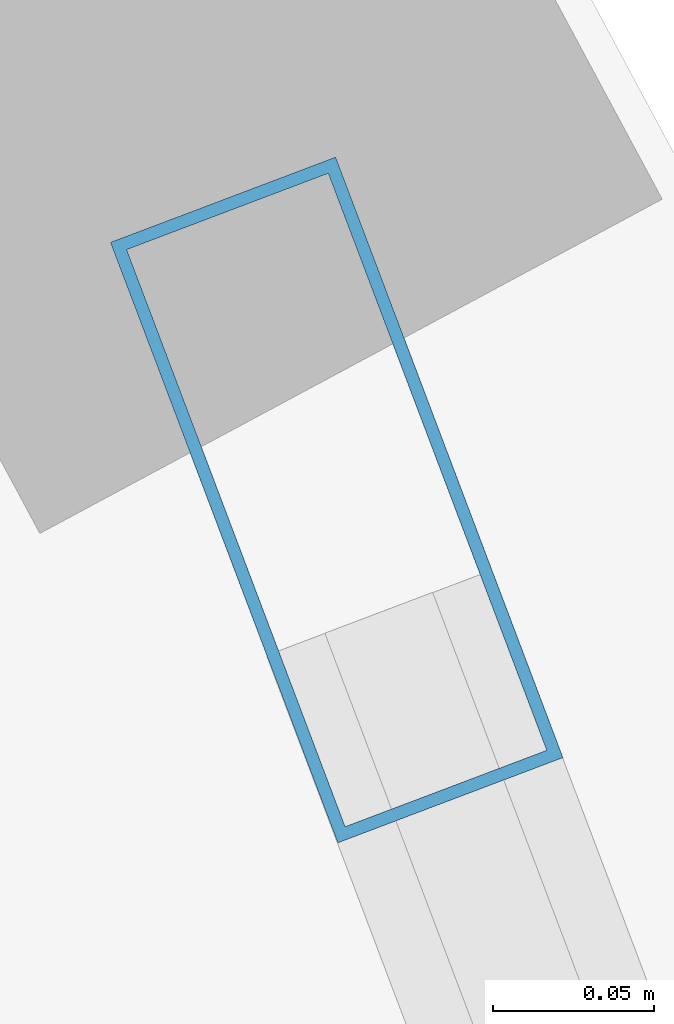
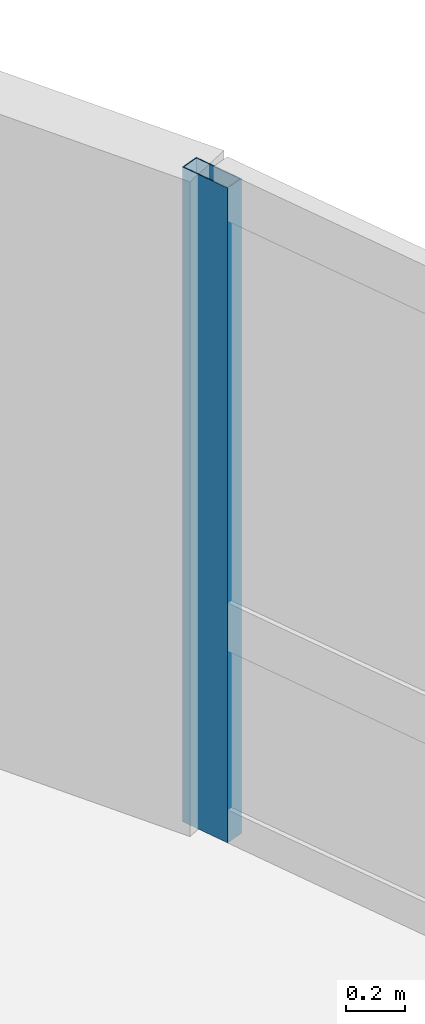
# One storey, part 10 of 20: 1 member, 1 element without a shape of its own.
"""IFC4 building model written with IfcOpenShell, lengths in metres."""

from ifc_helpers import new_model, si_unit, direction, frame, origin, origin_2d, place, context, subcontext, project, spatial, hollow_rectangle, extrude, material, layer, layer_set, material_profile, profile_set, type_object, element, aggregate, save


model = new_model("IFC4")

# Units and contexts
model_context = context("Model", 3, precision=1e-05, world=origin(), true_north=direction((0.0, 1.0)))
body_context = subcontext(model_context, "Body", "Model", "MODEL_VIEW")
ifc_project = project(units=[si_unit("LENGTHUNIT", "METRE"), si_unit("AREAUNIT", "SQUARE_METRE"), si_unit("VOLUMEUNIT", "CUBIC_METRE"), si_unit("PLANEANGLEUNIT", "RADIAN"), si_unit("MASSUNIT", "GRAM", prefix="KILO")], contexts=[model_context])

# Site, building, storey
site_placement = place(None, origin())
site = spatial("IfcSite", under=ifc_project, at=site_placement, CompositionType="ELEMENT")
building_placement = place(site_placement, origin())
building = spatial("IfcBuilding", under=site, at=building_placement, Name="Varnelok Gate Tower", CompositionType="ELEMENT")
storey_placement = place(building_placement, frame((0.0, 0.0, 234.89990234375)))
storey = spatial("IfcBuildingStorey", under=building, at=storey_placement, Name="L60", CompositionType="ELEMENT", Elevation=234.89990234375)

# Curtain wall, member
ifc_material = material(Name="Anodized Aluminum Alloy 6063-T6", Category="aluminium")
ifc_layer = layer(ifc_material, 0.179931640625)
ifc_layer_set = layer_set([ifc_layer], Name="Anodized Aluminum Alloy 6063-T6")
curtain_wall_type = type_object("IfcCurtainWallType", Name="CW4-RESIDENCE-VISION", PredefinedType="USERDEFINED", material=ifc_layer_set)
curtain_wall_placement = place(storey_placement, origin())
curtain_wall = element("IfcCurtainWall", 1, at=curtain_wall_placement, inside=storey, type_object=curtain_wall_type, Name="L60 East End Vision Curtain Wall", ObjectType="UNITISED CURTAIN WALL", PredefinedType="USERDEFINED")
ifc_material_profile = material_profile(ifc_material, hollow_rectangle(XDim=0.074951171875, YDim=0.199951171875, WallThickness=0.00390625, at=origin_2d()), Name="ALU200X75X4")
ifc_profile_set = profile_set([ifc_material_profile], Name="Anodized Aluminum Alloy 6063-T6")
member_type = type_object("IfcMemberType", Name="CW-MULL-200", PredefinedType="MULLION", material=ifc_profile_set)
member_placement = place(storey_placement, frame((64.514892578125, 51.5244140625, 0.0), z_axis=(0.0, 0.0, 1.0), x_axis=(0.935221557832, 0.354063042079, 0.0)))
member = element("IfcMember", 2, at=member_placement, type_object=member_type, Name="CW4 mullion 1", PredefinedType="MULLION", context=body_context, shape_type="SweptSolid", body=[
    extrude(hollow_rectangle(XDim=0.074951171875, YDim=0.199951171875, WallThickness=0.00390625, at=origin_2d()), origin(), (0.0, 0.0, 1.0), 2.72998046875),
])
aggregate(curtain_wall, [member])

save(model, "model.ifc")
